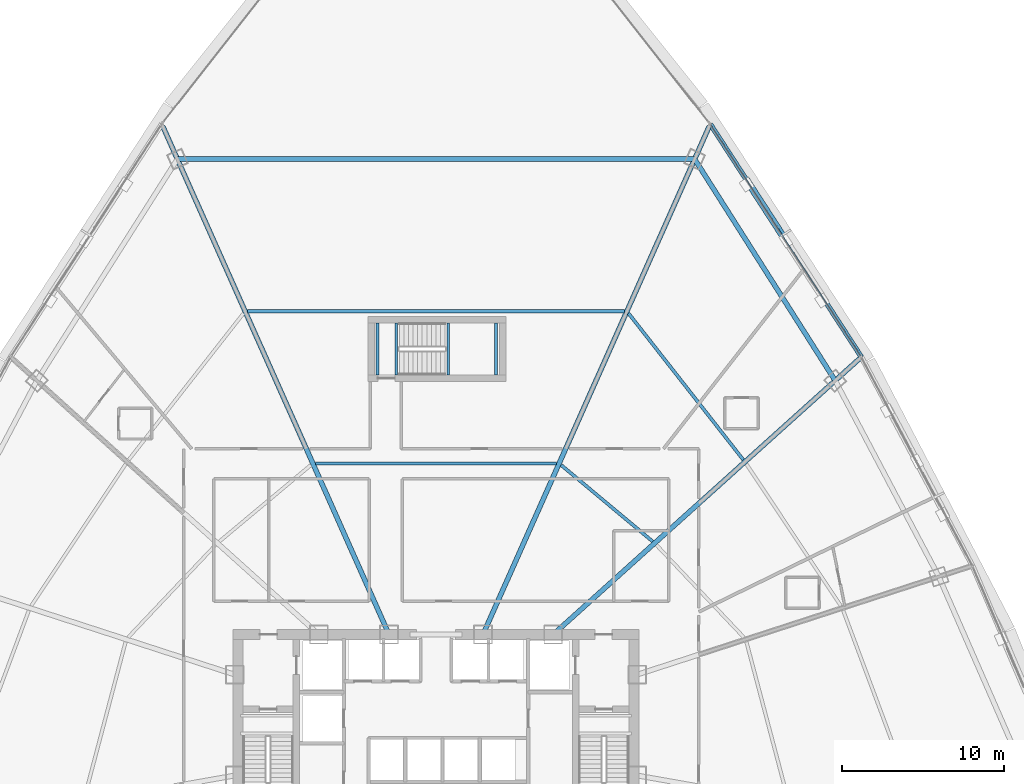
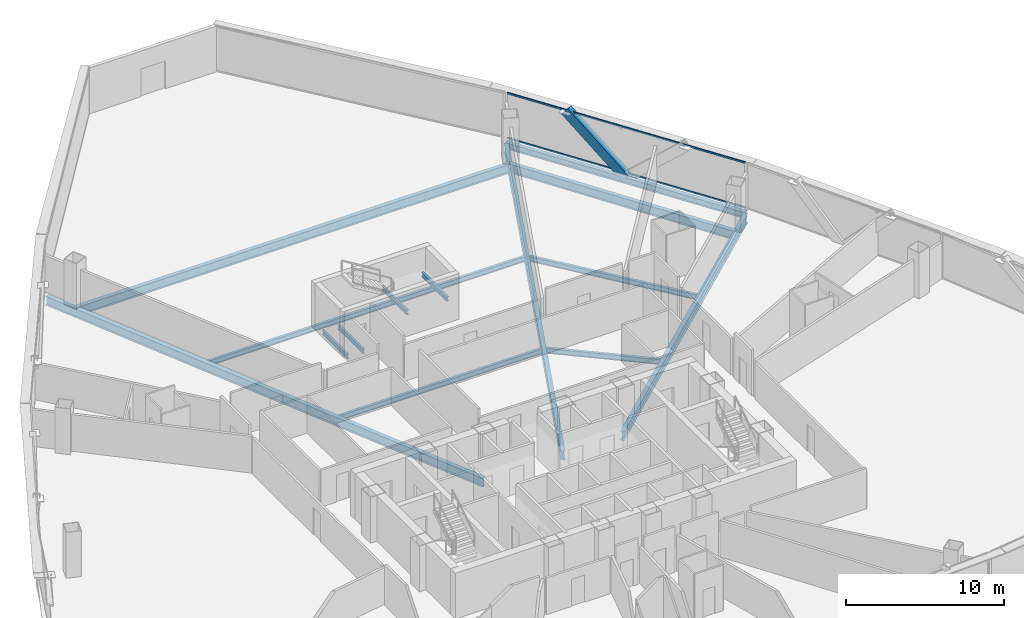
# One storey, part 17 of 37: 14 beams, 3 members, 1 element without a shape of its own.
"""IFC4 building model written with IfcOpenShell, lengths in metres."""

from ifc_helpers import new_model, si_unit, direction, frame, origin, origin_2d, place, context, subcontext, project, spatial, hollow_rectangle, i_section, extrude, source, transform, mapped, material, layer, layer_set, material_profile, profile_set, type_object, element, aggregate, save


model = new_model("IFC4")

# Units and contexts
model_context = context("Model", 3, precision=1e-05, world=origin(), true_north=direction((0.0, 1.0)))
body_context = subcontext(model_context, "Body", "Model", "MODEL_VIEW")
ifc_project = project(units=[si_unit("LENGTHUNIT", "METRE"), si_unit("AREAUNIT", "SQUARE_METRE"), si_unit("VOLUMEUNIT", "CUBIC_METRE"), si_unit("PLANEANGLEUNIT", "RADIAN"), si_unit("MASSUNIT", "GRAM", prefix="KILO"), si_unit("THERMODYNAMICTEMPERATUREUNIT", "KELVIN"), si_unit("POWERUNIT", "WATT")], contexts=[model_context])

# Site, building, storey
site_placement = place(None, origin())
site = spatial("IfcSite", under=ifc_project, at=site_placement, CompositionType="ELEMENT")
building_placement = place(site_placement, origin())
building = spatial("IfcBuilding", under=site, at=building_placement, Name="Yunzhuo Pagoda Commons", CompositionType="ELEMENT")
storey_placement = place(building_placement, frame((0.0, 0.0, 88.780029296875)))
storey = spatial("IfcBuildingStorey", under=building, at=storey_placement, Name="L22", CompositionType="ELEMENT", Elevation=88.780029296875)

# Beams
ifc_material_1 = material(Name="Structural steel Q355B", Category="steel")
ifc_material_profile_1 = material_profile(ifc_material_1, i_section(OverallWidth=0.175048828125, OverallDepth=0.35009765625, WebThickness=0.007080078125, FlangeThickness=0.010986328125, at=origin_2d()), Name="Structural steel Q355B")
ifc_profile_set_1 = profile_set([ifc_material_profile_1], Name="Structural steel Q355B")
beam_type_1 = type_object("IfcBeamType", Name="B-JS2 Joist HN 350x175x7x11", PredefinedType="JOIST", material=ifc_profile_set_1)
shared_shape_1 = source(origin(), body_context, "Body", "SweptSolid", [
    extrude(i_section(OverallWidth=0.175048828125, OverallDepth=0.35009765625, WebThickness=0.007080078125, FlangeThickness=0.010986328125, at=origin_2d()), origin(), (0.0, 0.0, 1.0), 3.199951171875),
])
for number, where, z_axis, x_axis, name in (
    (1, (48.75, 56.199951171875, 1.52490234375), (0.0, 1.0, 0.0), (-1.0, 0.0, 0.0), "L22 ST3 landing support beam 28A"),
    (2, (51.699951171875, 56.199951171875, 1.52490234375), (0.0, 1.0, 0.0), (-1.0, 0.0, 0.0), "L22 ST3 landing support beam 28B"),
    (3, (44.39990234375, 56.199951171875, -0.375), (0.0, 1.0, 0.0), (-1.0, 0.0, 0.0), "L22 ST3 landing support beam 96A"),
    (4, (45.550048828125, 56.199951171875, -0.375), (0.0, 1.0, 0.0), (-1.0, 0.0, 0.0), "L22 ST3 landing support beam 96B"),
):
    element("IfcBeam", number, at=place(storey_placement, frame(where, z_axis=z_axis, x_axis=x_axis)), inside=storey, type_object=beam_type_1, Name=name, PredefinedType="JOIST", context=body_context, shape_type="MappedRepresentation", body=[
        mapped(shared_shape_1, transform((0.0, 0.0, 0.0), scale=1.0)),
    ])
ifc_material_profile_2 = material_profile(ifc_material_1, i_section(OverallWidth=0.300048828125, OverallDepth=0.488037109375, WebThickness=0.010986328125, FlangeThickness=0.01806640625, at=origin_2d()), Name="Structural steel Q355B")
ifc_profile_set_2 = profile_set([ifc_material_profile_2], Name="Structural steel Q355B")
beam_type_2 = type_object("IfcBeamType", Name="B-SP1 Beam HM 488x300x11x18", PredefinedType="BEAM", material=ifc_profile_set_2)
shared_shape_2 = source(origin(), body_context, "Body", "SweptSolid", [
    extrude(i_section(OverallWidth=0.300048828125, OverallDepth=0.488037109375, WebThickness=0.010986328125, FlangeThickness=0.01806640625, at=origin_2d()), origin(), (0.0, 0.0, 1.0), 17.115966796875),
])
beam_1_placement = place(storey_placement, frame((74.2197265625, 57.308349609375, -0.504150390625), z_axis=(-0.544271692391, 0.83890900869, 0.0), x_axis=(-0.83890900869, -0.544271692391, 0.0)))
element("IfcBeam", 5, at=beam_1_placement, inside=storey, type_object=beam_type_2, Name="L22 facade edge spandrel beam F2.3", PredefinedType="BEAM", context=body_context, shape_type="MappedRepresentation", body=[
    mapped(shared_shape_2, transform((0.0, 0.0, 0.0), scale=1.0)),
])
ifc_material_profile_3 = material_profile(ifc_material_1, i_section(OverallWidth=0.300048828125, OverallDepth=0.699951171875, WebThickness=0.012939453125, FlangeThickness=0.02392578125, at=origin_2d()), Name="Structural steel Q355B")
ifc_profile_set_3 = profile_set([ifc_material_profile_3], Name="Structural steel Q355B")
beam_type_3 = type_object("IfcBeamType", Name="B-RG1 Beam HN 700x300x13x24", PredefinedType="BEAM", material=ifc_profile_set_3)
shared_shape_3 = source(origin(), body_context, "Body", "SweptSolid", [
    extrude(i_section(OverallWidth=0.300048828125, OverallDepth=0.699951171875, WebThickness=0.012939453125, FlangeThickness=0.02392578125, at=origin_2d()), origin(), (0.0, 0.0, 1.0), 16.16845703125),
])
beam_2_placement = place(storey_placement, frame((72.602783203125, 55.852294921875, -0.610107421875), z_axis=(-0.535695673154, 0.844411123662, 0.0), x_axis=(-0.844411123662, -0.535695673154, 0.0)))
element("IfcBeam", 6, at=beam_2_placement, inside=storey, type_object=beam_type_3, Name="L22 column-ring beam 7", PredefinedType="BEAM", context=body_context, shape_type="MappedRepresentation", body=[
    mapped(shared_shape_3, transform((0.0, 0.0, 0.0), scale=1.0)),
])
shared_shape_4 = source(origin(), body_context, "Body", "SweptSolid", [
    extrude(i_section(OverallWidth=0.300048828125, OverallDepth=0.699951171875, WebThickness=0.012939453125, FlangeThickness=0.02392578125, at=origin_2d()), origin(), (0.0, 0.0, 1.0), 31.8828125),
])
beam_3_placement = place(storey_placement, frame((63.94140625, 69.505126953125, -0.610107421875), z_axis=(-1.0, 0.0, 0.0), x_axis=(0.0, -1.0, 0.0)))
element("IfcBeam", 7, at=beam_3_placement, inside=storey, type_object=beam_type_3, Name="L22 column-ring beam 8", PredefinedType="BEAM", context=body_context, shape_type="MappedRepresentation", body=[
    mapped(shared_shape_4, transform((0.0, 0.0, 0.0), scale=1.0)),
])
shared_shape_5 = source(origin(), body_context, "Body", "SweptSolid", [
    extrude(i_section(OverallWidth=0.300048828125, OverallDepth=0.699951171875, WebThickness=0.012939453125, FlangeThickness=0.02392578125, at=origin_2d()), origin(), (0.0, 0.0, 1.0), 25.4130859375),
])
beam_4_placement = place(storey_placement, frame((74.1044921875, 57.20458984375, -0.610107421875), z_axis=(-0.743143654342, -0.669131907034, 0.0), x_axis=(0.669131907034, -0.743143654342, 0.0)))
element("IfcBeam", 8, at=beam_4_placement, inside=storey, type_object=beam_type_3, Name="L22 radial floor girder F2C3", PredefinedType="BEAM", context=body_context, shape_type="MappedRepresentation", body=[
    mapped(shared_shape_5, transform((0.0, 0.0, 0.0), scale=1.0)),
])
shared_shape_6 = source(origin(), body_context, "Body", "SweptSolid", [
    extrude(i_section(OverallWidth=0.300048828125, OverallDepth=0.699951171875, WebThickness=0.012939453125, FlangeThickness=0.02392578125, at=origin_2d()), origin(), (0.0, 0.0, 1.0), 34.2900390625),
])
beam_5_placement = place(storey_placement, frame((64.84130859375, 71.525390625, -0.610107421875), z_axis=(-0.406743491902, -0.913542408318, 0.0), x_axis=(0.913542408318, -0.406743491902, 0.0)))
element("IfcBeam", 9, at=beam_5_placement, inside=storey, type_object=beam_type_3, Name="L22 radial floor girder F2C4", PredefinedType="BEAM", context=body_context, shape_type="MappedRepresentation", body=[
    mapped(shared_shape_6, transform((0.0, 0.0, 0.0), scale=1.0)),
])
shared_shape_7 = source(origin(), body_context, "Body", "SweptSolid", [
    extrude(i_section(OverallWidth=0.300048828125, OverallDepth=0.699951171875, WebThickness=0.012939453125, FlangeThickness=0.02392578125, at=origin_2d()), origin(), (0.0, 0.0, 1.0), 34.289794921875),
])
beam_6_placement = place(storey_placement, frame((31.1591796875, 71.525390625, -0.610107421875), z_axis=(0.406731607898, -0.913547699432, 0.0), x_axis=(0.913547699432, 0.406731607898, 0.0)))
element("IfcBeam", 10, at=beam_6_placement, inside=storey, type_object=beam_type_3, Name="L22 radial floor girder F3C1", PredefinedType="BEAM", context=body_context, shape_type="MappedRepresentation", body=[
    mapped(shared_shape_7, transform((0.0, 0.0, 0.0), scale=1.0)),
])
ifc_material_profile_4 = material_profile(ifc_material_1, i_section(OverallWidth=0.199951171875, OverallDepth=0.39990234375, WebThickness=0.008056640625, FlangeThickness=0.012939453125, at=origin_2d()), Name="Structural steel Q355B")
ifc_profile_set_4 = profile_set([ifc_material_profile_4], Name="Structural steel Q355B")
beam_type_4 = type_object("IfcBeamType", Name="B-JS1 Joist HN 400x200x8x13", PredefinedType="JOIST", material=ifc_profile_set_4)
shared_shape_8 = source(origin(), body_context, "Body", "SweptSolid", [
    extrude(i_section(OverallWidth=0.199951171875, OverallDepth=0.39990234375, WebThickness=0.008056640625, FlangeThickness=0.012939453125, at=origin_2d()), origin(), (0.0, 0.0, 1.0), 7.350341796875),
])
beam_7_placement = place(storey_placement, frame((61.355224609375, 45.936767578125, -0.4599609375), z_axis=(-0.767589283892, 0.640942034239, 0.0), x_axis=(-0.640942034239, -0.767589283892, 0.0)))
element("IfcBeam", 11, at=beam_7_placement, inside=storey, type_object=beam_type_4, Name="L22 composite ring joist 1.7", PredefinedType="JOIST", context=body_context, shape_type="MappedRepresentation", body=[
    mapped(shared_shape_8, transform((0.0, 0.0, 0.0), scale=1.0)),
])
shared_shape_9 = source(origin(), body_context, "Body", "SweptSolid", [
    extrude(i_section(OverallWidth=0.199951171875, OverallDepth=0.39990234375, WebThickness=0.008056640625, FlangeThickness=0.012939453125, at=origin_2d()), origin(), (0.0, 0.0, 1.0), 11.475830078125),
])
beam_8_placement = place(storey_placement, frame((66.942138671875, 50.96875, -0.4599609375), z_axis=(-0.616739539478, 0.787167288728, 0.0), x_axis=(-0.787167288728, -0.616739539478, 0.0)))
element("IfcBeam", 12, at=beam_8_placement, inside=storey, type_object=beam_type_4, Name="L22 composite ring joist 2.7", PredefinedType="JOIST", context=body_context, shape_type="MappedRepresentation", body=[
    mapped(shared_shape_9, transform((0.0, 0.0, 0.0), scale=1.0)),
])
shared_shape_10 = source(origin(), body_context, "Body", "SweptSolid", [
    extrude(i_section(OverallWidth=0.199951171875, OverallDepth=0.39990234375, WebThickness=0.008056640625, FlangeThickness=0.012939453125, at=origin_2d()), origin(), (0.0, 0.0, 1.0), 14.8642578125),
])
beam_9_placement = place(storey_placement, frame((55.43212890625, 50.749755859375, -0.4599609375), z_axis=(-1.0, 0.0, 0.0), x_axis=(0.0, -1.0, 0.0)))
element("IfcBeam", 13, at=beam_9_placement, inside=storey, type_object=beam_type_4, Name="L22 composite ring joist 1.8", PredefinedType="JOIST", context=body_context, shape_type="MappedRepresentation", body=[
    mapped(shared_shape_10, transform((0.0, 0.0, 0.0), scale=1.0)),
])
shared_shape_11 = source(origin(), body_context, "Body", "SweptSolid", [
    extrude(i_section(OverallWidth=0.199951171875, OverallDepth=0.39990234375, WebThickness=0.008056640625, FlangeThickness=0.012939453125, at=origin_2d()), origin(), (0.0, 0.0, 1.0), 23.21484375),
])
beam_10_placement = place(storey_placement, frame((59.607421875, 60.12744140625, -0.4599609375), z_axis=(-1.0, 0.0, 0.0), x_axis=(0.0, -1.0, 0.0)))
element("IfcBeam", 14, at=beam_10_placement, inside=storey, type_object=beam_type_4, Name="L22 composite ring joist 2.8", PredefinedType="JOIST", context=body_context, shape_type="MappedRepresentation", body=[
    mapped(shared_shape_11, transform((0.0, 0.0, 0.0), scale=1.0)),
])

# Member
ifc_material_2 = material(Name="Structural steel Q420B", Category="steel")
ifc_material_profile_5 = material_profile(ifc_material_2, hollow_rectangle(XDim=0.419921875, YDim=0.719970703125, WallThickness=0.028076171875, at=origin_2d()), Name="Structural steel Q420B")
ifc_profile_set_5 = profile_set([ifc_material_profile_5], Name="Structural steel Q420B")
member_type_1 = type_object("IfcMemberType", Name="M-DL1 Brace BOX 720x420x28", PredefinedType="BRACE", material=ifc_profile_set_5)
shared_shape_12 = source(origin(), body_context, "Body", "SweptSolid", [
    extrude(hollow_rectangle(XDim=0.419921875, YDim=0.719970703125, WallThickness=0.028076171875, at=origin_2d()), origin(), (0.0, 0.0, 1.0), 5.72265625),
])
member_1_placement = place(storey_placement, frame((69.56201171875, 64.48779296875, -0.259765625), z_axis=(-0.406998696352, 0.627264343025, 0.663996615306), x_axis=(-0.838885244112, -0.544308319991, 0.0)))
element("IfcMember", 15, at=member_1_placement, inside=storey, type_object=member_type_1, Name="L22 facade diamond brace F2.3R", PredefinedType="BRACE", context=body_context, shape_type="MappedRepresentation", body=[
    mapped(shared_shape_12, transform((0.0, 0.0, 0.0), scale=1.0)),
])

# Curtain wall, members
ifc_material_3 = material(Name="Anodized aluminium 6063-T6", Category="aluminium")
ifc_layer = layer(ifc_material_3, 0.1650390625)
ifc_layer_set = layer_set([ifc_layer], Name="Anodized aluminium 6063-T6")
curtain_wall_type = type_object("IfcCurtainWallType", Name="CW-LOW Low-Zone Ribbon Curtain Wall", PredefinedType="NOTDEFINED", material=ifc_layer_set)
curtain_wall_placement = place(storey_placement, origin())
curtain_wall = element("IfcCurtainWall", 16, at=curtain_wall_placement, inside=storey, type_object=curtain_wall_type, Name="L22 curtain wall CW-L22-F2B4", PredefinedType="NOTDEFINED")
ifc_material_profile_6 = material_profile(ifc_material_3, hollow_rectangle(XDim=0.06005859375, YDim=0.139892578125, WallThickness=0.00341796875, at=origin_2d()), Name="Anodized aluminium 6063-T6")
ifc_profile_set_6 = profile_set([ifc_material_profile_6], Name="Anodized aluminium 6063-T6")
member_type_2 = type_object("IfcMemberType", Name="CW-LOW-T Transom RHS 140x60x3.5", PredefinedType="USERDEFINED", material=ifc_profile_set_6)
shared_shape_13 = source(origin(), body_context, "Body", "SweptSolid", [
    extrude(hollow_rectangle(XDim=0.06005859375, YDim=0.139892578125, WallThickness=0.00341796875, at=origin_2d()), origin(), (0.0, 0.0, 1.0), 16.98583984375),
])
member_2_placement = place(storey_placement, frame((74.184326171875, 57.363037109375, 0.030029296875), z_axis=(-0.544271762736, 0.838908963051, 0.0), x_axis=(-0.838908963051, -0.544271762736, 0.0)))
member_2 = element("IfcMember", 17, at=member_2_placement, type_object=member_type_2, Name="CW transom 1.1", ObjectType="TRANSOM", PredefinedType="USERDEFINED", context=body_context, shape_type="MappedRepresentation", body=[
    mapped(shared_shape_13, transform((0.0, 0.0, 0.0), scale=1.0)),
])
member_3_placement = place(storey_placement, frame((74.184326171875, 57.363037109375, 3.510009765625), z_axis=(-0.544271762736, 0.838908963051, 0.0), x_axis=(-0.838908963051, -0.544271762736, 0.0)))
member_3 = element("IfcMember", 18, at=member_3_placement, type_object=member_type_2, Name="CW transom 1.2", ObjectType="TRANSOM", PredefinedType="USERDEFINED", context=body_context, shape_type="MappedRepresentation", body=[
    mapped(shared_shape_13, transform((0.0, 0.0, 0.0), scale=1.0)),
])
aggregate(curtain_wall, [member_2, member_3])

save(model, "model.ifc")
